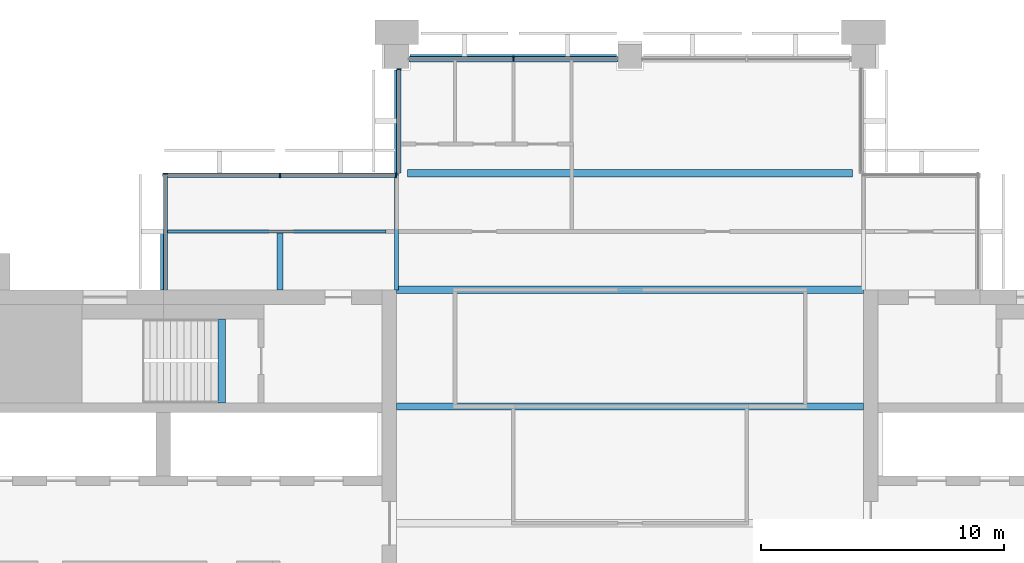
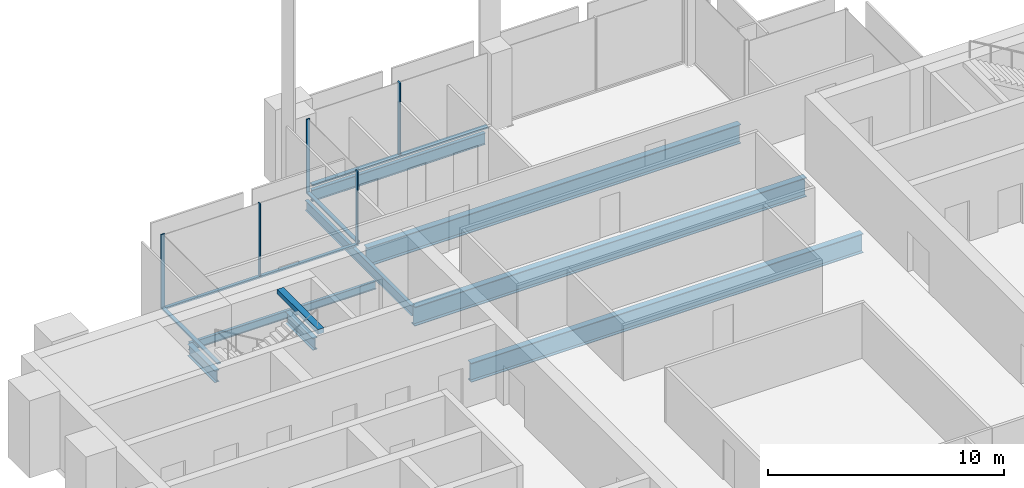
# One storey, part 5 of 12: 9 beams, 9 members, 4 elements without a shape of their own.
"""IFC4 building model written with IfcOpenShell, lengths in metres."""

from ifc_helpers import new_model, si_unit, direction, frame, origin, origin_2d, place, context, subcontext, project, spatial, rectangle, i_section, extrude, material, material_profile, profile_set, type_object, element, aggregate, save


model = new_model("IFC4")

# Units and contexts
model_context = context("Model", 3, precision=1e-05, world=origin(), true_north=direction((0.0, 1.0)))
body_context = subcontext(model_context, "Body", "Model", "MODEL_VIEW")
ifc_project = project(units=[si_unit("LENGTHUNIT", "METRE"), si_unit("AREAUNIT", "SQUARE_METRE"), si_unit("VOLUMEUNIT", "CUBIC_METRE"), si_unit("PLANEANGLEUNIT", "RADIAN"), si_unit("MASSUNIT", "GRAM", prefix="KILO")], contexts=[model_context])

# Site, building, storey
site_placement = place(None, origin())
site = spatial("IfcSite", under=ifc_project, at=site_placement, CompositionType="ELEMENT")
building_placement = place(site_placement, origin())
building = spatial("IfcBuilding", under=site, at=building_placement, Name="Baori Bourse Tower", CompositionType="ELEMENT")
storey_placement = place(building_placement, frame((0.0, 0.0, 282.300048828125)))
storey = spatial("IfcBuildingStorey", under=building, at=storey_placement, Name="L61", CompositionType="ELEMENT", Elevation=282.300048828125)

# Curtain wall, member
ifc_material_1 = material(Name="Pale anodised aluminium", Category="aluminium")
curtain_wall_type_1 = type_object("IfcCurtainWallType", Name="CW2 Curtain wall", PredefinedType="NOTDEFINED", material=ifc_material_1)
curtain_wall_1_placement = place(storey_placement, origin())
curtain_wall_1 = element("IfcCurtainWall", 1, at=curtain_wall_1_placement, inside=storey, type_object=curtain_wall_type_1, Name="Curtain wall CW2 L61 5", PredefinedType="NOTDEFINED")
ifc_material_2 = material(Name="Pale anodised aluminium", Category="aluminium")
ifc_material_profile_1 = material_profile(ifc_material_2, rectangle(XDim=0.179931640625, YDim=0.054931640625, at=origin_2d()), Name="Mullion 55x180")
ifc_profile_set_1 = profile_set([ifc_material_profile_1], Name="Pale anodised aluminium")
member_type_1 = type_object("IfcMemberType", Name="CW2 Curtain wall mullion", PredefinedType="MULLION", material=ifc_profile_set_1)
member_1_placement = place(storey_placement, frame((19.2900390625, 47.472412109375, 0.070068359375), z_axis=(0.0, 0.0, 1.0), x_axis=(1.0, 0.0, 0.0)))
member_1 = element("IfcMember", 2, at=member_1_placement, type_object=member_type_1, Name="Curtain wall CW2 mullion", PredefinedType="MULLION", context=body_context, shape_type="SweptSolid", body=[
    extrude(rectangle(XDim=0.179931640625, YDim=0.054931640625, at=origin_2d()), origin(), (0.0, 0.0, 1.0), 3.769775390625),
])

# Curtain wall, members
curtain_wall_2_placement = place(storey_placement, origin())
curtain_wall_2 = element("IfcCurtainWall", 3, at=curtain_wall_2_placement, inside=storey, type_object=curtain_wall_type_1, Name="Curtain wall CW2 L61 6", PredefinedType="NOTDEFINED")
member_2_placement = place(storey_placement, frame((19.172607421875, 43.110107421875, 0.070068359375), z_axis=(0.0, 0.0, 1.0), x_axis=(0.0, -1.0, 0.0)))
member_2 = element("IfcMember", 4, at=member_2_placement, type_object=member_type_1, Name="Curtain wall CW2 mullion", PredefinedType="MULLION", context=body_context, shape_type="SweptSolid", body=[
    extrude(rectangle(XDim=0.179931640625, YDim=0.054931640625, at=origin_2d()), origin(), (0.0, 0.0, 1.0), 3.769775390625),
])
member_3_placement = place(storey_placement, frame((14.39990234375, 43.110107421875, 0.070068359375), z_axis=(0.0, 0.0, 1.0), x_axis=(0.0, -1.0, 0.0)))
member_3 = element("IfcMember", 5, at=member_3_placement, type_object=member_type_1, Name="Curtain wall CW2 mullion", PredefinedType="MULLION", context=body_context, shape_type="SweptSolid", body=[
    extrude(rectangle(XDim=0.179931640625, YDim=0.054931640625, at=origin_2d()), origin(), (0.0, 0.0, 1.0), 3.769775390625),
])

# Curtain wall, member
curtain_wall_3_placement = place(storey_placement, origin())
curtain_wall_3 = element("IfcCurtainWall", 6, at=curtain_wall_3_placement, inside=storey, type_object=curtain_wall_type_1, Name="Curtain wall CW2 L61 7", PredefinedType="NOTDEFINED")
member_4_placement = place(storey_placement, frame((9.68994140625, 43.172607421875, 0.070068359375), z_axis=(0.0, 0.0, 1.0), x_axis=(1.0, 0.0, 0.0)))
member_4 = element("IfcMember", 7, at=member_4_placement, type_object=member_type_1, Name="Curtain wall CW2 mullion", PredefinedType="MULLION", context=body_context, shape_type="SweptSolid", body=[
    extrude(rectangle(XDim=0.179931640625, YDim=0.054931640625, at=origin_2d()), origin(), (0.0, 0.0, 1.0), 3.769775390625),
])

# Member
ifc_material_3 = material(Name="Pale anodised aluminium", Category="aluminium")
ifc_material_profile_2 = material_profile(ifc_material_3, rectangle(XDim=0.179931640625, YDim=0.070068359375, at=origin_2d()), Name="Transom 70x180")
ifc_profile_set_2 = profile_set([ifc_material_profile_2], Name="Pale anodised aluminium")
member_type_2 = type_object("IfcMemberType", Name="CW2 Curtain wall transom", PredefinedType="USERDEFINED", material=ifc_profile_set_2)
member_5_placement = place(storey_placement, frame((19.2900390625, 47.5, 0.034912109375), z_axis=(0.0, -1.0, 0.0), x_axis=(1.0, 0.0, 0.0)))
member_5 = element("IfcMember", 8, at=member_5_placement, type_object=member_type_2, Name="Curtain wall CW2 sill rail", ObjectType="TRANSOM", PredefinedType="USERDEFINED", context=body_context, shape_type="SweptSolid", body=[
    extrude(rectangle(XDim=0.179931640625, YDim=0.070068359375, at=origin_2d()), origin(), (0.0, 0.0, 1.0), 4.300048828125),
])

aggregate(curtain_wall_1, [member_5, member_1])

member_6_placement = place(storey_placement, frame((19.199951171875, 43.110107421875, 0.034912109375), z_axis=(-1.0, 0.0, 0.0), x_axis=(0.0, -1.0, 0.0)))
member_6 = element("IfcMember", 9, at=member_6_placement, type_object=member_type_2, Name="Curtain wall CW2 sill rail", ObjectType="TRANSOM", PredefinedType="USERDEFINED", context=body_context, shape_type="SweptSolid", body=[
    extrude(rectangle(XDim=0.179931640625, YDim=0.070068359375, at=origin_2d()), origin(), (0.0, 0.0, 1.0), 9.599853515625),
])

aggregate(curtain_wall_2, [member_6, member_2, member_3])

member_7_placement = place(storey_placement, frame((9.68994140625, 43.199951171875, 0.034912109375), z_axis=(0.0, -1.0, 0.0), x_axis=(1.0, 0.0, 0.0)))
member_7 = element("IfcMember", 10, at=member_7_placement, type_object=member_type_2, Name="Curtain wall CW2 sill rail", ObjectType="TRANSOM", PredefinedType="USERDEFINED", context=body_context, shape_type="SweptSolid", body=[
    extrude(rectangle(XDim=0.179931640625, YDim=0.070068359375, at=origin_2d()), origin(), (0.0, 0.0, 1.0), 4.800048828125),
])

aggregate(curtain_wall_3, [member_7, member_4])

# Curtain wall, members
ifc_material_4 = material(Name="Pale anodised aluminium", Category="aluminium")
curtain_wall_type_2 = type_object("IfcCurtainWallType", Name="CW5 Curtain wall", PredefinedType="NOTDEFINED", material=ifc_material_4)
curtain_wall_4_placement = place(storey_placement, origin())
curtain_wall_4 = element("IfcCurtainWall", 11, at=curtain_wall_4_placement, inside=storey, type_object=curtain_wall_type_2, Name="Curtain wall CW5 L61 4", PredefinedType="NOTDEFINED")
ifc_material_5 = material(Name="Pale anodised aluminium", Category="aluminium")
ifc_material_profile_3 = material_profile(ifc_material_5, rectangle(XDim=0.219970703125, YDim=0.06494140625, at=origin_2d()), Name="Mullion 65x220")
ifc_profile_set_3 = profile_set([ifc_material_profile_3], Name="Pale anodised aluminium")
member_type_3 = type_object("IfcMemberType", Name="CW5 Curtain wall mullion", PredefinedType="MULLION", material=ifc_profile_set_3)
member_8_placement = place(storey_placement, frame((24.0, 47.889892578125, 0.0849609375), z_axis=(0.0, 0.0, 1.0), x_axis=(0.0, -1.0, 0.0)))
member_8 = element("IfcMember", 12, at=member_8_placement, type_object=member_type_3, Name="Curtain wall CW5 mullion", PredefinedType="MULLION", context=body_context, shape_type="SweptSolid", body=[
    extrude(rectangle(XDim=0.219970703125, YDim=0.06494140625, at=origin_2d()), origin(), (0.0, 0.0, 1.0), 3.7548828125),
])
ifc_material_6 = material(Name="Pale anodised aluminium", Category="aluminium")
ifc_material_profile_4 = material_profile(ifc_material_6, rectangle(XDim=0.219970703125, YDim=0.0849609375, at=origin_2d()), Name="Transom 85x220")
ifc_profile_set_4 = profile_set([ifc_material_profile_4], Name="Pale anodised aluminium")
member_type_4 = type_object("IfcMemberType", Name="CW5 Curtain wall transom", PredefinedType="USERDEFINED", material=ifc_profile_set_4)
member_9_placement = place(storey_placement, frame((28.300048828125, 47.889892578125, 0.04248046875), z_axis=(-1.0, 0.0, 0.0), x_axis=(0.0, -1.0, 0.0)))
member_9 = element("IfcMember", 13, at=member_9_placement, type_object=member_type_4, Name="Curtain wall CW5 sill rail", ObjectType="TRANSOM", PredefinedType="USERDEFINED", context=body_context, shape_type="SweptSolid", body=[
    extrude(rectangle(XDim=0.219970703125, YDim=0.0849609375, at=origin_2d()), origin(), (0.0, 0.0, 1.0), 8.60009765625),
])
aggregate(curtain_wall_4, [member_9, member_8])

# Beams
ifc_material_7 = material(Name="Steel A992 Gr 50", Category="steel")
ifc_material_profile_5 = material_profile(ifc_material_7, i_section(OverallWidth=0.22900390625, OverallDepth=0.612060546875, WebThickness=0.011962890625, FlangeThickness=0.01953125, at=origin_2d()), Name="W24x84")
ifc_profile_set_5 = profile_set([ifc_material_profile_5], Name="Steel A992 Gr 50")
beam_type_1 = type_object("IfcBeamType", Name="Core bracket W24x84", PredefinedType="BEAM", material=ifc_profile_set_5)
for number, where, z_axis, x_axis, name in (
    (14, (9.60009765625, 38.39990234375, -0.606201171875), (0.0, 1.0, 0.0), (-1.0, 0.0, 0.0), "Core bracket L61"),
    (15, (14.39990234375, 38.39990234375, -0.606201171875), (0.0, 1.0, 0.0), (-1.0, 0.0, 0.0), "Core bracket L61"),
):
    element("IfcBeam", number, at=place(storey_placement, frame(where, z_axis=z_axis, x_axis=x_axis)), inside=storey, type_object=beam_type_1, Name=name, PredefinedType="BEAM", context=body_context, shape_type="SweptSolid", body=[
        extrude(i_section(OverallWidth=0.22900390625, OverallDepth=0.612060546875, WebThickness=0.011962890625, FlangeThickness=0.01953125, at=origin_2d()), origin(), (0.0, 0.0, 1.0), 2.329833984375),
    ])
ifc_material_8 = material(Name="Steel A992 Gr 50", Category="steel")
ifc_material_profile_6 = material_profile(ifc_material_8, i_section(OverallWidth=0.177978515625, OverallDepth=0.599365234375, WebThickness=0.010009765625, FlangeThickness=0.012939453125, at=origin_2d()), Name="W24x55")
ifc_profile_set_6 = profile_set([ifc_material_profile_6], Name="Steel A992 Gr 50")
beam_type_2 = type_object("IfcBeamType", Name="Edge beam W24x55", PredefinedType="BEAM", material=ifc_profile_set_6)
beam_1_placement = place(storey_placement, frame((19.75, 48.0, -0.599853515625), z_axis=(1.0, 0.0, 0.0), x_axis=(0.0, 1.0, 0.0)))
element("IfcBeam", 16, at=beam_1_placement, inside=storey, type_object=beam_type_2, Name="Edge beam L61", PredefinedType="BEAM", context=body_context, shape_type="SweptSolid", body=[
    extrude(i_section(OverallWidth=0.177978515625, OverallDepth=0.599365234375, WebThickness=0.010009765625, FlangeThickness=0.012939453125, at=origin_2d()), origin(), (0.0, 0.0, 1.0), 8.5),
])
ifc_material_9 = material(Name="Steel A992 Gr 50", Category="steel")
ifc_material_profile_7 = material_profile(ifc_material_9, i_section(OverallWidth=0.2998046875, OverallDepth=0.990478515625, WebThickness=0.0166015625, FlangeThickness=0.030517578125, at=origin_2d()), Name="W40x183")
ifc_profile_set_7 = profile_set([ifc_material_profile_7], Name="Steel A992 Gr 50")
beam_type_3 = type_object("IfcBeamType", Name="Floor beam W40x183", PredefinedType="BEAM", material=ifc_profile_set_7)
for number, where, z_axis, x_axis, name in (
    (17, (19.199951171875, 33.60009765625, -0.79541015625), (1.0, 0.0, 0.0), (0.0, 1.0, 0.0), "Floor beam L61"),
    (18, (19.199951171875, 38.39990234375, -0.79541015625), (1.0, 0.0, 0.0), (0.0, 1.0, 0.0), "Floor beam L61"),
):
    element("IfcBeam", number, at=place(storey_placement, frame(where, z_axis=z_axis, x_axis=x_axis)), inside=storey, type_object=beam_type_3, Name=name, PredefinedType="BEAM", context=body_context, shape_type="SweptSolid", body=[
        extrude(i_section(OverallWidth=0.2998046875, OverallDepth=0.990478515625, WebThickness=0.0166015625, FlangeThickness=0.030517578125, at=origin_2d()), origin(), (0.0, 0.0, 1.0), 19.199951171875),
    ])
beam_2_placement = place(storey_placement, frame((19.64990234375, 43.199951171875, -0.79541015625), z_axis=(1.0, 0.0, 0.0), x_axis=(0.0, 1.0, 0.0)))
element("IfcBeam", 19, at=beam_2_placement, inside=storey, type_object=beam_type_3, Name="Floor beam L61", PredefinedType="BEAM", context=body_context, shape_type="SweptSolid", body=[
    extrude(i_section(OverallWidth=0.2998046875, OverallDepth=0.990478515625, WebThickness=0.0166015625, FlangeThickness=0.030517578125, at=origin_2d()), origin(), (0.0, 0.0, 1.0), 18.300048828125),
])
ifc_material_10 = material(Name="Steel A992 Gr 50", Category="steel")
ifc_material_profile_8 = material_profile(ifc_material_10, i_section(OverallWidth=0.1650390625, OverallDepth=0.52587890625, WebThickness=0.0087890625, FlangeThickness=0.011474609375, at=origin_2d()), Name="W21x44")
ifc_profile_set_8 = profile_set([ifc_material_profile_8], Name="Steel A992 Gr 50")
beam_type_4 = type_object("IfcBeamType", Name="Girder W21x44", PredefinedType="BEAM", material=ifc_profile_set_8)
beam_3_placement = place(storey_placement, frame((19.199951171875, 38.39990234375, -0.56298828125), z_axis=(0.0, 1.0, 0.0), x_axis=(-1.0, 0.0, 0.0)))
element("IfcBeam", 20, at=beam_3_placement, inside=storey, type_object=beam_type_4, Name="Girder L61", PredefinedType="BEAM", context=body_context, shape_type="SweptSolid", body=[
    extrude(i_section(OverallWidth=0.1650390625, OverallDepth=0.52587890625, WebThickness=0.0087890625, FlangeThickness=0.011474609375, at=origin_2d()), origin(), (0.0, 0.0, 1.0), 9.050048828125),
])
ifc_material_11 = material(Name="Concrete f'c 50 MPa", Category="concrete")
ifc_material_profile_9 = material_profile(ifc_material_11, rectangle(XDim=0.300048828125, YDim=0.25, at=origin_2d()), Name="RC 300x250")
ifc_profile_set_9 = profile_set([ifc_material_profile_9], Name="Concrete f'c 50 MPa")
beam_type_5 = type_object("IfcBeamType", Name="Stair nib beam RC 300x250", PredefinedType="BEAM", material=ifc_profile_set_9)
beam_4_placement = place(storey_placement, frame((12.0, 33.75, 3.71484375), z_axis=(0.0, 1.0, 0.0), x_axis=(-1.0, 0.0, 0.0)))
element("IfcBeam", 21, at=beam_4_placement, inside=storey, type_object=beam_type_5, Name="Stair WB nib beam L62", PredefinedType="BEAM", context=body_context, shape_type="SweptSolid", body=[
    extrude(rectangle(XDim=0.300048828125, YDim=0.25, at=origin_2d()), origin(), (0.0, 0.0, 1.0), 3.449951171875),
])
ifc_material_12 = material(Name="Steel A992 Gr 50", Category="steel")
ifc_material_profile_10 = material_profile(ifc_material_12, i_section(OverallWidth=0.140380859375, OverallDepth=0.40380859375, WebThickness=0.007080078125, FlangeThickness=0.01123046875, at=origin_2d()), Name="W16x31")
ifc_profile_set_10 = profile_set([ifc_material_profile_10], Name="Steel A992 Gr 50")
beam_type_6 = type_object("IfcBeamType", Name="Trimmer beam W16x31", PredefinedType="BEAM", material=ifc_profile_set_10)
beam_5_placement = place(storey_placement, frame((9.60009765625, 40.800048828125, -0.501953125), z_axis=(1.0, 0.0, 0.0), x_axis=(0.0, 1.0, 0.0)))
element("IfcBeam", 22, at=beam_5_placement, inside=storey, type_object=beam_type_6, Name="Trimmer beam L61", PredefinedType="BEAM", context=body_context, shape_type="SweptSolid", body=[
    extrude(i_section(OverallWidth=0.140380859375, OverallDepth=0.40380859375, WebThickness=0.007080078125, FlangeThickness=0.01123046875, at=origin_2d()), origin(), (0.0, 0.0, 1.0), 9.14990234375),
])

save(model, "model.ifc")
